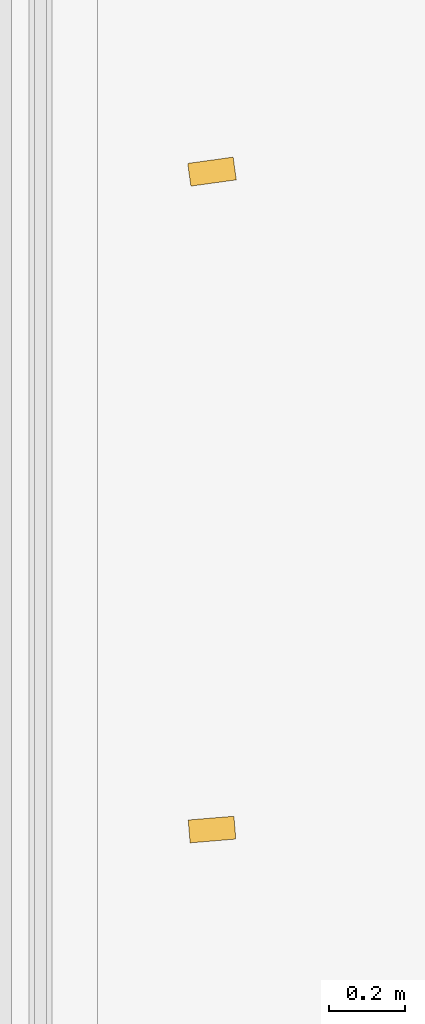
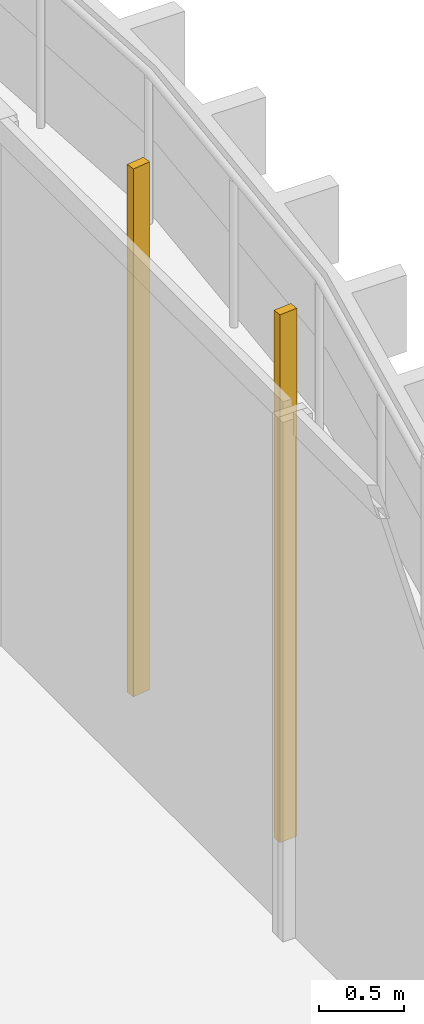
# One storey, part 24 of 26: 2 shading devices.
"""IFC4 building model written with IfcOpenShell, lengths in metres."""

from ifc_helpers import new_model, si_unit, direction, frame, origin, origin_2d, place, context, subcontext, project, spatial, rectangle, extrude, source, transform, mapped, material, material_profile, profile_set, type_object, element, save


model = new_model("IFC4")

# Units and contexts
model_context = context("Model", 3, precision=1e-05, world=origin(), true_north=direction((0.0, 1.0)))
body_context = subcontext(model_context, "Body", "Model", "MODEL_VIEW")
ifc_project = project(units=[si_unit("LENGTHUNIT", "METRE"), si_unit("AREAUNIT", "SQUARE_METRE"), si_unit("VOLUMEUNIT", "CUBIC_METRE"), si_unit("PLANEANGLEUNIT", "RADIAN"), si_unit("MASSUNIT", "GRAM", prefix="KILO")], contexts=[model_context])

# Site, building, storey
site_placement = place(None, origin())
site = spatial("IfcSite", under=ifc_project, at=site_placement, CompositionType="ELEMENT")
building_placement = place(site_placement, origin())
building = spatial("IfcBuilding", under=site, at=building_placement, Name="Kilnfold Tower and Market Hall", CompositionType="ELEMENT")
storey_placement = place(building_placement, frame((0.0, 0.0, 104.60009765625)))
storey = spatial("IfcBuildingStorey", under=building, at=storey_placement, Name="L24", CompositionType="ELEMENT", Elevation=104.60009765625)

# Shading devices
ifc_material = material(Name="Terracotta", Category="masonry")
ifc_material_profile = material_profile(ifc_material, rectangle(XDim=0.06005859375, YDim=0.1201171875, at=origin_2d()), Name="BAG 60x120")
ifc_profile_set = profile_set([ifc_material_profile], Name="Terracotta")
shading_device_type = type_object("IfcShadingDeviceType", Name="BAGUETTE", PredefinedType="USERDEFINED", material=ifc_profile_set)
shared_shape = source(origin(), body_context, "Body", "SweptSolid", [
    extrude(rectangle(XDim=0.06005859375, YDim=0.1201171875, at=origin_2d()), origin(), (0.0, 0.0, 1.0), 3.77978515625),
])
for number, where, z_axis, x_axis, name in (
    (1, (33.300048828125, 4.987548828125, 0.0), (0.0, 0.0, 1.0), (-0.082444681012, 0.996595642461, 0.0), "Terracotta baguette L24 E"),
    (2, (33.300048828125, 6.71240234375, 0.0), (0.0, 0.0, 1.0), (-0.137314887474, 0.990527446201, 0.0), "Terracotta baguette L24 E"),
):
    element("IfcShadingDevice", number, at=place(storey_placement, frame(where, z_axis=z_axis, x_axis=x_axis)), inside=storey, type_object=shading_device_type, Name=name, ObjectType="BAGUETTE", PredefinedType="USERDEFINED", context=body_context, shape_type="MappedRepresentation", body=[
        mapped(shared_shape, transform((0.0, 0.0, 0.0))),
    ])

save(model, "model.ifc")
